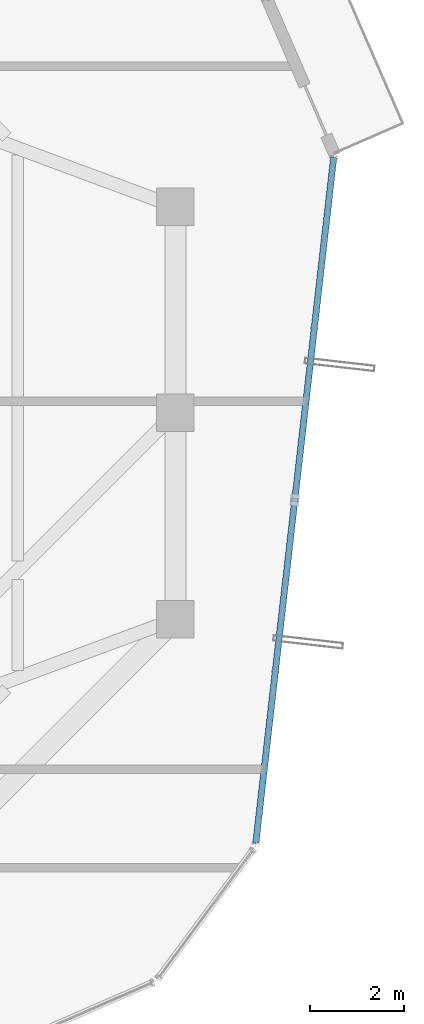
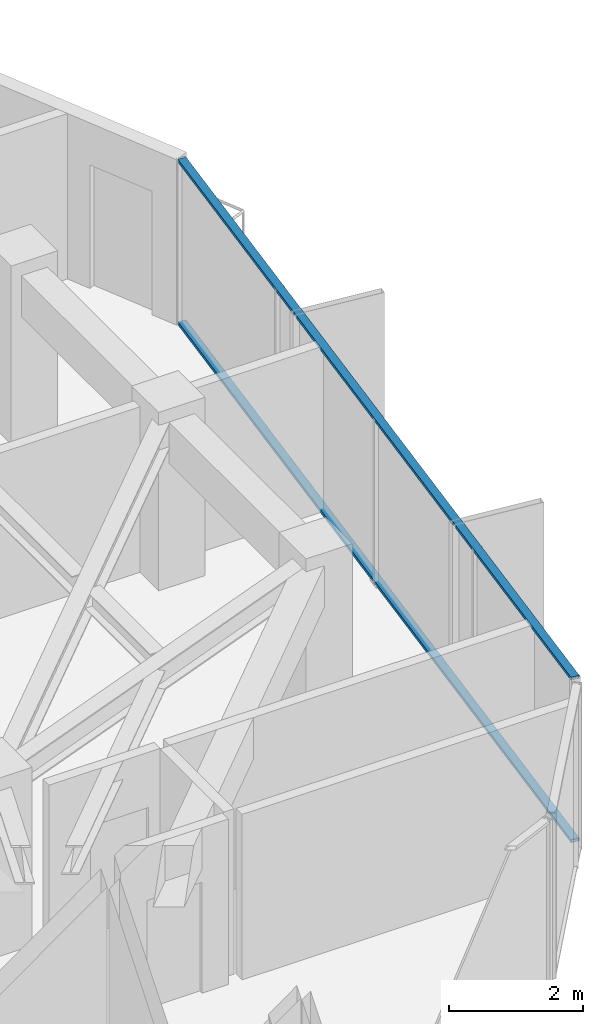
# One storey, part 20 of 30: 2 members, 1 element without a shape of its own.
"""IFC4 building model written with IfcOpenShell, lengths in metres."""

from ifc_helpers import new_model, si_unit, direction, frame, origin, origin_2d, place, context, subcontext, project, spatial, hollow_rectangle, extrude, source, transform, mapped, material, layer, layer_set, material_profile, profile_set, type_object, element, aggregate, save


model = new_model("IFC4")

# Units and contexts
model_context = context("Model", 3, precision=1e-05, world=origin(), true_north=direction((0.0, 1.0)))
body_context = subcontext(model_context, "Body", "Model", "MODEL_VIEW")
ifc_project = project(units=[si_unit("LENGTHUNIT", "METRE"), si_unit("AREAUNIT", "SQUARE_METRE"), si_unit("VOLUMEUNIT", "CUBIC_METRE"), si_unit("PLANEANGLEUNIT", "RADIAN"), si_unit("MASSUNIT", "GRAM", prefix="KILO")], contexts=[model_context])

# Site, building, storey
site_placement = place(None, origin())
site = spatial("IfcSite", under=ifc_project, at=site_placement, CompositionType="ELEMENT")
building_placement = place(site_placement, origin())
building = spatial("IfcBuilding", under=site, at=building_placement, Name="Veraguas Prism Commons", CompositionType="ELEMENT")
storey_placement = place(building_placement, frame((0.0, 0.0, 230.050048828125)))
storey = spatial("IfcBuildingStorey", under=building, at=storey_placement, Name="L65", CompositionType="ELEMENT", Elevation=230.050048828125)

# Curtain wall, members
ifc_material = material(Name="Anodised aluminium EN AW-6063 T6", Category="aluminium")
ifc_layer = layer(ifc_material, 0.14990234375, Name="Unitised Flush Curtain Wall Zone 4", Category="aluminium")
ifc_layer_set = layer_set([ifc_layer], Name="Anodised aluminium EN AW-6063 T6")
curtain_wall_type = type_object("IfcCurtainWallType", Name="Unitised Flush Curtain Wall Zone 4", PredefinedType="NOTDEFINED", material=ifc_layer_set)
curtain_wall_placement = place(storey_placement, origin())
curtain_wall = element("IfcCurtainWall", 1, at=curtain_wall_placement, inside=storey, type_object=curtain_wall_type, Name="Tower Facade Curtain Wall L65-F6", PredefinedType="NOTDEFINED")
ifc_material_profile = material_profile(ifc_material, hollow_rectangle(XDim=0.054931640625, YDim=0.135009765625, WallThickness=0.0029296875, at=origin_2d()), Name="AL55X135X3")
ifc_profile_set = profile_set([ifc_material_profile], Name="Anodised aluminium EN AW-6063 T6")
member_type = type_object("IfcMemberType", Name="Curtain Wall Transom Standard AL 55x135x3", PredefinedType="USERDEFINED", material=ifc_profile_set)
shared_shape = source(origin(), body_context, "Body", "SweptSolid", [
    extrude(hollow_rectangle(XDim=0.054931640625, YDim=0.135009765625, WallThickness=0.0029296875, at=origin_2d()), origin(), (0.0, 0.0, 1.0), 14.706298828125),
])
member_1_placement = place(storey_placement, frame((39.51953125, 14.8369140625, 0.02734375), z_axis=(0.112854559552, 0.993611517842, 0.0), x_axis=(0.0, 0.0, 1.0)))
member_1 = element("IfcMember", 2, at=member_1_placement, type_object=member_type, Name="CW-Z4 Transom 1", ObjectType="TRANSOM", PredefinedType="USERDEFINED", context=body_context, shape_type="MappedRepresentation", body=[
    mapped(shared_shape, transform((0.0, 0.0, 0.0), scale=1.0)),
])
member_2_placement = place(storey_placement, frame((39.51953125, 14.8369140625, 2.987548828125), z_axis=(0.112854559552, 0.993611517842, 0.0), x_axis=(0.0, 0.0, 1.0)))
member_2 = element("IfcMember", 3, at=member_2_placement, type_object=member_type, Name="CW-Z4 Transom 2", ObjectType="TRANSOM", PredefinedType="USERDEFINED", context=body_context, shape_type="MappedRepresentation", body=[
    mapped(shared_shape, transform((0.0, 0.0, 0.0), scale=1.0)),
])
aggregate(curtain_wall, [member_1, member_2])

save(model, "model.ifc")
